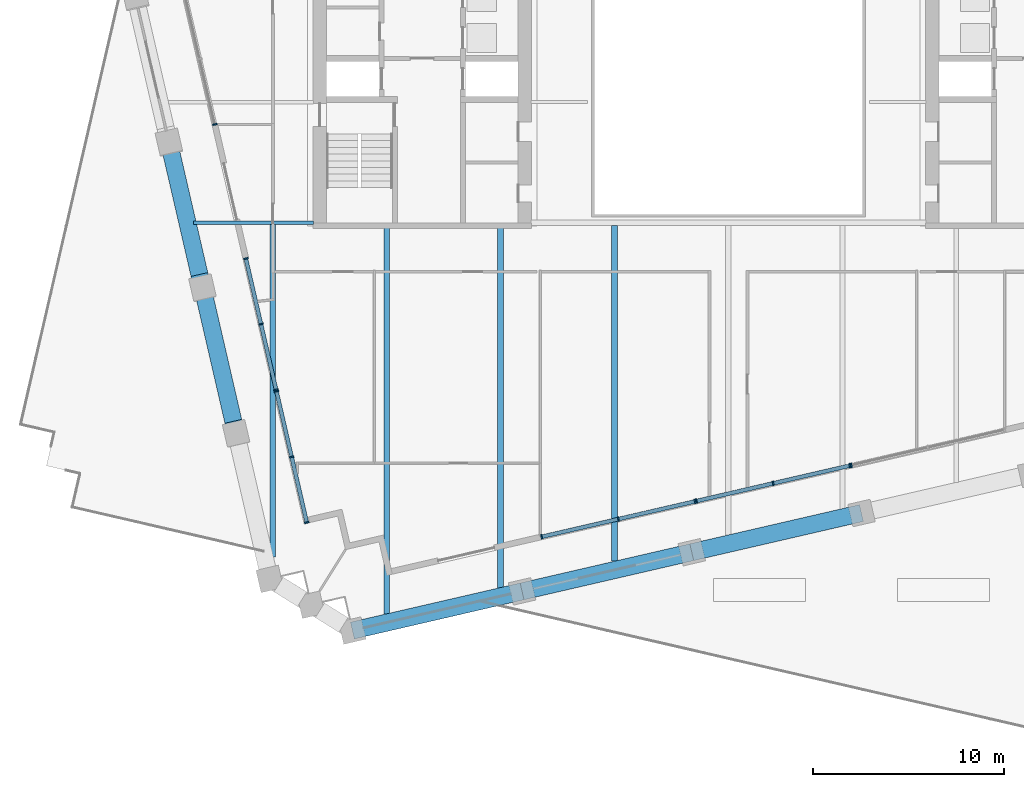
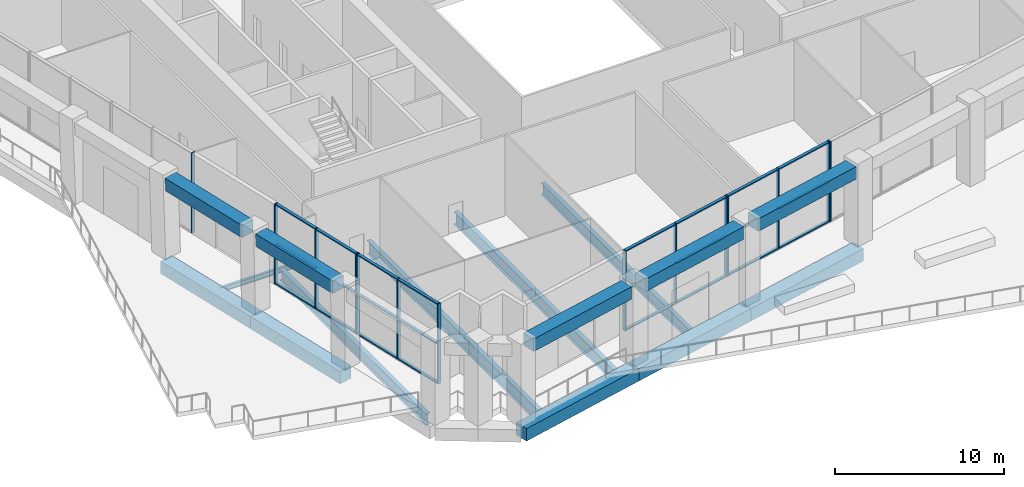
# One storey, part 2 of 24: 38 members, 15 beams, 6 elements without a shape of their own.
"""IFC4 building model written with IfcOpenShell, lengths in metres."""

from ifc_helpers import new_model, si_unit, direction, frame, origin, origin_2d, place, context, subcontext, project, spatial, rectangle, i_section, extrude, material, material_profile, profile_set, type_object, element, aggregate, save


model = new_model("IFC4")

# Units and contexts
model_context = context("Model", 3, precision=1e-05, world=origin(), true_north=direction((0.0, 1.0)))
body_context = subcontext(model_context, "Body", "Model", "MODEL_VIEW")
ifc_project = project(units=[si_unit("LENGTHUNIT", "METRE"), si_unit("AREAUNIT", "SQUARE_METRE"), si_unit("VOLUMEUNIT", "CUBIC_METRE"), si_unit("PLANEANGLEUNIT", "RADIAN"), si_unit("MASSUNIT", "GRAM", prefix="KILO")], contexts=[model_context])

# Site, building, storey
site_placement = place(None, origin())
site = spatial("IfcSite", under=ifc_project, at=site_placement, CompositionType="ELEMENT")
building_placement = place(site_placement, origin())
building = spatial("IfcBuilding", under=site, at=building_placement, Name="Ogive Exchange Tower", CompositionType="ELEMENT")
storey_placement = place(building_placement, frame((0.0, 0.0, 165.60009765625)))
storey = spatial("IfcBuildingStorey", under=building, at=storey_placement, Name="L36", CompositionType="ELEMENT", Elevation=165.60009765625)

# Beams
ifc_material_1 = material(Name="Steel ASTM A992 Gr50", Category="steel")
ifc_material_profile_1 = material_profile(ifc_material_1, i_section(OverallWidth=0.300048828125, OverallDepth=0.969970703125, WebThickness=0.01611328125, FlangeThickness=0.02099609375, at=origin_2d()), Name="W1000x222")
ifc_profile_set_1 = profile_set([ifc_material_profile_1], Name="Steel ASTM A992 Gr50")
beam_type_1 = type_object("IfcBeamType", Name="Floor beam W1000x222", PredefinedType="JOIST", material=ifc_profile_set_1)
beam_1_placement = place(storey_placement, frame((-17.854736328125, -22.873046875, -0.93505859375), z_axis=(0.0, 1.0, 0.0), x_axis=(-1.0, 0.0, 0.0)))
element("IfcBeam", 1, at=beam_1_placement, inside=storey, type_object=beam_type_1, Name="Floor beam", PredefinedType="JOIST", context=body_context, shape_type="SweptSolid", body=[
    extrude(i_section(OverallWidth=0.300048828125, OverallDepth=0.969970703125, WebThickness=0.01611328125, FlangeThickness=0.02099609375, at=origin_2d()), origin(), (0.0, 0.0, 1.0), 20.27294921875),
])
ifc_material_profile_2 = material_profile(ifc_material_1, i_section(OverallWidth=0.2919921875, OverallDepth=0.8359375, WebThickness=0.013916015625, FlangeThickness=0.018798828125, at=origin_2d()), Name="W840x176")
ifc_profile_set_2 = profile_set([ifc_material_profile_2], Name="Steel ASTM A992 Gr50")
beam_type_2 = type_object("IfcBeamType", Name="Floor beam W840x176", PredefinedType="JOIST", material=ifc_profile_set_2)
beam_2_placement = place(storey_placement, frame((-23.806396484375, -19.896484375, -0.8681640625), z_axis=(0.0, 1.0, 0.0), x_axis=(-1.0, 0.0, 0.0)))
element("IfcBeam", 2, at=beam_2_placement, inside=storey, type_object=beam_type_2, Name="Floor beam", PredefinedType="JOIST", context=body_context, shape_type="SweptSolid", body=[
    extrude(i_section(OverallWidth=0.2919921875, OverallDepth=0.8359375, WebThickness=0.013916015625, FlangeThickness=0.018798828125, at=origin_2d()), origin(), (0.0, 0.0, 1.0), 17.365966796875),
])
beam_3_placement = place(storey_placement, frame((-5.95166015625, -20.125, -0.8681640625), z_axis=(0.0, 1.0, 0.0), x_axis=(-1.0, 0.0, 0.0)))
element("IfcBeam", 3, at=beam_3_placement, inside=storey, type_object=beam_type_2, Name="Floor beam", PredefinedType="JOIST", context=body_context, shape_type="SweptSolid", body=[
    extrude(i_section(OverallWidth=0.2919921875, OverallDepth=0.8359375, WebThickness=0.013916015625, FlangeThickness=0.018798828125, at=origin_2d()), origin(), (0.0, 0.0, 1.0), 17.530029296875),
])
ifc_material_profile_3 = material_profile(ifc_material_1, i_section(OverallWidth=0.304931640625, OverallDepth=0.9189453125, WebThickness=0.017333984375, FlangeThickness=0.02783203125, at=origin_2d()), Name="W920x253")
ifc_profile_set_3 = profile_set([ifc_material_profile_3], Name="Steel ASTM A992 Gr50")
beam_type_3 = type_object("IfcBeamType", Name="Floor beam W920x253", PredefinedType="JOIST", material=ifc_profile_set_3)
beam_4_placement = place(storey_placement, frame((-11.9033203125, -21.64892578125, -0.90966796875), z_axis=(0.0, 1.0, 0.0), x_axis=(-1.0, 0.0, 0.0)))
element("IfcBeam", 4, at=beam_4_placement, inside=storey, type_object=beam_type_3, Name="Floor beam", PredefinedType="JOIST", context=body_context, shape_type="SweptSolid", body=[
    extrude(i_section(OverallWidth=0.304931640625, OverallDepth=0.9189453125, WebThickness=0.017333984375, FlangeThickness=0.02783203125, at=origin_2d()), origin(), (0.0, 0.0, 1.0), 19.048828125),
])
ifc_material_profile_4 = material_profile(ifc_material_1, i_section(OverallWidth=0.1708984375, OverallDepth=0.35595703125, WebThickness=0.00732421875, FlangeThickness=0.01171875, at=origin_2d()), Name="W360x51")
ifc_profile_set_4 = profile_set([ifc_material_profile_4], Name="Steel ASTM A992 Gr50")
beam_type_4 = type_object("IfcBeamType", Name="Girder W360x51", PredefinedType="BEAM", material=ifc_profile_set_4)
beam_5_placement = place(storey_placement, frame((-27.95068359375, -2.445068359375, -0.628173828125), z_axis=(1.0, 0.0, 0.0), x_axis=(0.0, 1.0, 0.0)))
element("IfcBeam", 5, at=beam_5_placement, inside=storey, type_object=beam_type_4, Name="Header girder", PredefinedType="BEAM", context=body_context, shape_type="SweptSolid", body=[
    extrude(i_section(OverallWidth=0.1708984375, OverallDepth=0.35595703125, WebThickness=0.00732421875, FlangeThickness=0.01171875, at=origin_2d()), origin(), (0.0, 0.0, 1.0), 6.270751953125),
])
ifc_material_2 = material(Name="Precast concrete C70/85 (limestone faced)", Category="masonry")
ifc_material_profile_5 = material_profile(ifc_material_2, rectangle(XDim=0.89990234375, YDim=0.89990234375, at=origin_2d()), Name="900 x 900")
ifc_profile_set_5 = profile_set([ifc_material_profile_5], Name="Precast concrete C70/85 (limestone faced)")
beam_type_5 = type_object("IfcBeamType", Name="Precast spandrel 900 x 900 C70/85", PredefinedType="SPANDREL", material=ifc_profile_set_5)
beam_6_placement = place(storey_placement, frame((-19.084228515625, -23.61865234375, 5.2998046875), z_axis=(0.974369944206, 0.224951576629, 0.0), x_axis=(-0.224951576629, 0.974369944206, 0.0)))
element("IfcBeam", 6, at=beam_6_placement, inside=storey, type_object=beam_type_5, Name="Spandrel 1", PredefinedType="SPANDREL", context=body_context, shape_type="SweptSolid", body=[
    extrude(rectangle(XDim=0.89990234375, YDim=0.89990234375, at=origin_2d()), origin(), (0.0, 0.0, 1.0), 7.940185546875),
])
beam_7_placement = place(storey_placement, frame((-10.21728515625, -21.57177734375, 5.2998046875), z_axis=(0.974368388194, 0.224958316335, 0.0), x_axis=(-0.224958316335, 0.974368388194, 0.0)))
element("IfcBeam", 7, at=beam_7_placement, inside=storey, type_object=beam_type_5, Name="Spandrel 2", PredefinedType="SPANDREL", context=body_context, shape_type="SweptSolid", body=[
    extrude(rectangle(XDim=0.89990234375, YDim=0.89990234375, at=origin_2d()), origin(), (0.0, 0.0, 1.0), 7.93994140625),
])
beam_8_placement = place(storey_placement, frame((-1.3505859375, -19.524658203125, 5.2998046875), z_axis=(0.974369944206, 0.224951576629, 0.0), x_axis=(-0.224951576629, 0.974369944206, 0.0)))
element("IfcBeam", 8, at=beam_8_placement, inside=storey, type_object=beam_type_5, Name="Spandrel 3", PredefinedType="SPANDREL", context=body_context, shape_type="SweptSolid", body=[
    extrude(rectangle(XDim=0.89990234375, YDim=0.89990234375, at=origin_2d()), origin(), (0.0, 0.0, 1.0), 7.940185546875),
])
beam_9_placement = place(storey_placement, frame((-29.14892578125, 1.394287109375, 5.2998046875), z_axis=(0.224976393981, -0.974364214322, 0.0), x_axis=(0.974364214322, 0.224976393981, 0.0)))
element("IfcBeam", 9, at=beam_9_placement, inside=storey, type_object=beam_type_5, Name="Spandrel 30", PredefinedType="SPANDREL", context=body_context, shape_type="SweptSolid", body=[
    extrude(rectangle(XDim=0.89990234375, YDim=0.89990234375, at=origin_2d()), origin(), (0.0, 0.0, 1.0), 6.7119140625),
])
beam_10_placement = place(storey_placement, frame((-27.3779296875, -6.27587890625, 5.2998046875), z_axis=(0.224933887862, -0.974374027821, 0.0), x_axis=(0.974374027821, 0.224933887862, 0.0)))
element("IfcBeam", 10, at=beam_10_placement, inside=storey, type_object=beam_type_5, Name="Spandrel 31", PredefinedType="SPANDREL", context=body_context, shape_type="SweptSolid", body=[
    extrude(rectangle(XDim=0.89990234375, YDim=0.89990234375, at=origin_2d()), origin(), (0.0, 0.0, 1.0), 6.712158203125),
])
ifc_material_profile_6 = material_profile(ifc_material_2, rectangle(XDim=0.89990234375, YDim=0.89990234375, at=origin_2d()), Name="900 x 900")
ifc_profile_set_6 = profile_set([ifc_material_profile_6], Name="Precast concrete C70/85 (limestone faced)")
beam_type_6 = type_object("IfcBeamType", Name="Precast transfer girder 900 x 900 C70/85", PredefinedType="BEAM", material=ifc_profile_set_6)
beam_11_placement = place(storey_placement, frame((-19.6494140625, -23.749267578125, -0.900146484375), z_axis=(0.97436948753, 0.224953554694, 0.0), x_axis=(-0.224953554694, 0.97436948753, 0.0)))
element("IfcBeam", 11, at=beam_11_placement, inside=storey, type_object=beam_type_6, Name="Transfer girder 1", PredefinedType="BEAM", context=body_context, shape_type="SweptSolid", body=[
    extrude(rectangle(XDim=0.89990234375, YDim=0.89990234375, at=origin_2d()), origin(), (0.0, 0.0, 1.0), 9.10009765625),
])
for number, where, z_axis, x_axis, name in (
    (12, (-10.782470703125, -21.7021484375, -0.900146484375), (0.974368129866, 0.224959435237, 0.0), (-0.224959435237, 0.974368129866, 0.0), "Transfer girder 2"),
    (13, (-1.915771484375, -19.655029296875, -0.900146484375), (0.974368129866, 0.224959435237, 0.0), (-0.224959435237, 0.974368129866, 0.0), "Transfer girder 3"),
):
    element("IfcBeam", number, at=place(storey_placement, frame(where, z_axis=z_axis, x_axis=x_axis)), inside=storey, type_object=beam_type_6, Name=name, PredefinedType="BEAM", context=body_context, shape_type="SweptSolid", body=[
        extrude(rectangle(XDim=0.89990234375, YDim=0.89990234375, at=origin_2d()), origin(), (0.0, 0.0, 1.0), 9.099853515625),
    ])
for number, where, z_axis, x_axis, name in (
    (14, (-29.230712890625, 1.7490234375, -0.900146484375), (0.22495322987, -0.974369562523, 0.0), (0.974369562523, 0.22495322987, 0.0), "Transfer girder 30"),
    (15, (-27.47607421875, -5.85107421875, -0.900146484375), (0.22495322987, -0.974369562523, 0.0), (0.974369562523, 0.22495322987, 0.0), "Transfer girder 31"),
):
    element("IfcBeam", number, at=place(storey_placement, frame(where, z_axis=z_axis, x_axis=x_axis)), inside=storey, type_object=beam_type_6, Name=name, PredefinedType="BEAM", context=body_context, shape_type="SweptSolid", body=[
        extrude(rectangle(XDim=0.89990234375, YDim=0.89990234375, at=origin_2d()), origin(), (0.0, 0.0, 1.0), 7.800048828125),
    ])

# Curtain wall, members
ifc_material_3 = material(Name="Anodised aluminium and clear glass", Category="aluminium")
curtain_wall_type = type_object("IfcCurtainWallType", Name="Winter garden glazing", PredefinedType="NOTDEFINED", material=ifc_material_3)
curtain_wall_1_placement = place(storey_placement, origin())
curtain_wall_1 = element("IfcCurtainWall", 16, at=curtain_wall_1_placement, inside=storey, type_object=curtain_wall_type, Name="Winter garden glazing run G2", PredefinedType="NOTDEFINED")
ifc_material_4 = material(Name="Anodised aluminium", Category="aluminium")
ifc_material_profile_7 = material_profile(ifc_material_4, rectangle(XDim=0.239990234375, YDim=0.080078125, at=origin_2d()), Name="AL 80x240")
ifc_profile_set_7 = profile_set([ifc_material_profile_7], Name="Anodised aluminium")
member_type_1 = type_object("IfcMemberType", Name="Winter garden glazing mullion 80 x 240", PredefinedType="MULLION", material=ifc_profile_set_7)
member_1_placement = place(storey_placement, frame((-9.75830078125, -18.8486328125, 0.0), z_axis=(0.0, 0.0, 1.0), x_axis=(-0.224951017509, 0.974370073289, 0.0)))
member_1 = element("IfcMember", 17, at=member_1_placement, type_object=member_type_1, Name="G2 mullion 1", PredefinedType="MULLION", context=body_context, shape_type="SweptSolid", body=[
    extrude(rectangle(XDim=0.239990234375, YDim=0.080078125, at=origin_2d()), origin(), (0.0, 0.0, 1.0), 5.7998046875),
])
member_2_placement = place(storey_placement, frame((-5.753662109375, -17.924072265625, 0.0), z_axis=(0.0, 0.0, 1.0), x_axis=(-0.224951017509, 0.974370073289, 0.0)))
member_2 = element("IfcMember", 18, at=member_2_placement, type_object=member_type_1, Name="G2 mullion 2", PredefinedType="MULLION", context=body_context, shape_type="SweptSolid", body=[
    extrude(rectangle(XDim=0.239990234375, YDim=0.080078125, at=origin_2d()), origin(), (0.0, 0.0, 1.0), 5.7998046875),
])
member_3_placement = place(storey_placement, frame((-1.748779296875, -16.99951171875, 0.0), z_axis=(0.0, 0.0, 1.0), x_axis=(-0.224951017509, 0.974370073289, 0.0)))
member_3 = element("IfcMember", 19, at=member_3_placement, type_object=member_type_1, Name="G2 mullion 3", PredefinedType="MULLION", context=body_context, shape_type="SweptSolid", body=[
    extrude(rectangle(XDim=0.239990234375, YDim=0.080078125, at=origin_2d()), origin(), (0.0, 0.0, 1.0), 5.7998046875),
])

curtain_wall_2_placement = place(storey_placement, origin())
curtain_wall_2 = element("IfcCurtainWall", 20, at=curtain_wall_2_placement, inside=storey, type_object=curtain_wall_type, Name="Winter garden glazing run G3", PredefinedType="NOTDEFINED")
member_4_placement = place(storey_placement, frame((-1.6708984375, -16.9814453125, 0.0), z_axis=(0.0, 0.0, 1.0), x_axis=(-0.224951017509, 0.974370073289, 0.0)))
member_4 = element("IfcMember", 21, at=member_4_placement, type_object=member_type_1, Name="G3 mullion 1", PredefinedType="MULLION", context=body_context, shape_type="SweptSolid", body=[
    extrude(rectangle(XDim=0.239990234375, YDim=0.080078125, at=origin_2d()), origin(), (0.0, 0.0, 1.0), 5.7998046875),
])
member_5_placement = place(storey_placement, frame((2.333740234375, -16.056884765625, 0.0), z_axis=(0.0, 0.0, 1.0), x_axis=(-0.224951017509, 0.974370073289, 0.0)))
member_5 = element("IfcMember", 22, at=member_5_placement, type_object=member_type_1, Name="G3 mullion 2", PredefinedType="MULLION", context=body_context, shape_type="SweptSolid", body=[
    extrude(rectangle(XDim=0.239990234375, YDim=0.080078125, at=origin_2d()), origin(), (0.0, 0.0, 1.0), 5.7998046875),
])
member_6_placement = place(storey_placement, frame((6.33837890625, -15.13232421875, 0.0), z_axis=(0.0, 0.0, 1.0), x_axis=(-0.224951017509, 0.974370073289, 0.0)))
member_6 = element("IfcMember", 23, at=member_6_placement, type_object=member_type_1, Name="G3 mullion 3", PredefinedType="MULLION", context=body_context, shape_type="SweptSolid", body=[
    extrude(rectangle(XDim=0.239990234375, YDim=0.080078125, at=origin_2d()), origin(), (0.0, 0.0, 1.0), 5.7998046875),
])

# Curtain wall, member
curtain_wall_3_placement = place(storey_placement, origin())
curtain_wall_3 = element("IfcCurtainWall", 24, at=curtain_wall_3_placement, inside=storey, type_object=curtain_wall_type, Name="Winter garden glazing run G4", PredefinedType="NOTDEFINED")
member_7_placement = place(storey_placement, frame((6.416259765625, -15.114501953125, 0.0), z_axis=(0.0, 0.0, 1.0), x_axis=(-0.224953658314, 0.974369463608, 0.0)))
member_7 = element("IfcMember", 25, at=member_7_placement, type_object=member_type_1, Name="G4 mullion 1", PredefinedType="MULLION", context=body_context, shape_type="SweptSolid", body=[
    extrude(rectangle(XDim=0.239990234375, YDim=0.080078125, at=origin_2d()), origin(), (0.0, 0.0, 1.0), 5.7998046875),
])
aggregate(curtain_wall_3, [member_7])

curtain_wall_4_placement = place(storey_placement, origin())
curtain_wall_4 = element("IfcCurtainWall", 26, at=curtain_wall_4_placement, inside=storey, type_object=curtain_wall_type, Name="Winter garden glazing run G23", PredefinedType="NOTDEFINED")
member_8_placement = place(storey_placement, frame((-26.832275390625, 2.695556640625, 0.0), z_axis=(0.0, 0.0, 1.0), x_axis=(0.974368684938, 0.224957031035, 0.0)))
member_8 = element("IfcMember", 27, at=member_8_placement, type_object=member_type_1, Name="G23 mullion 3", PredefinedType="MULLION", context=body_context, shape_type="SweptSolid", body=[
    extrude(rectangle(XDim=0.239990234375, YDim=0.080078125, at=origin_2d()), origin(), (0.0, 0.0, 1.0), 5.7998046875),
])
aggregate(curtain_wall_4, [member_8])

# Curtain wall, members
curtain_wall_5_placement = place(storey_placement, origin())
curtain_wall_5 = element("IfcCurtainWall", 28, at=curtain_wall_5_placement, inside=storey, type_object=curtain_wall_type, Name="Winter garden glazing run G25", PredefinedType="NOTDEFINED")
member_9_placement = place(storey_placement, frame((-25.2138671875, -4.314208984375, 0.0), z_axis=(0.0, 0.0, 1.0), x_axis=(0.974371765874, 0.224943685993, 0.0)))
member_9 = element("IfcMember", 29, at=member_9_placement, type_object=member_type_1, Name="G25 mullion 1", PredefinedType="MULLION", context=body_context, shape_type="SweptSolid", body=[
    extrude(rectangle(XDim=0.239990234375, YDim=0.080078125, at=origin_2d()), origin(), (0.0, 0.0, 1.0), 5.7998046875),
])
member_10_placement = place(storey_placement, frame((-24.422607421875, -7.7412109375, 0.0), z_axis=(0.0, 0.0, 1.0), x_axis=(0.974371765874, 0.224943685993, 0.0)))
member_10 = element("IfcMember", 30, at=member_10_placement, type_object=member_type_1, Name="G25 mullion 2", PredefinedType="MULLION", context=body_context, shape_type="SweptSolid", body=[
    extrude(rectangle(XDim=0.239990234375, YDim=0.080078125, at=origin_2d()), origin(), (0.0, 0.0, 1.0), 5.7998046875),
])
member_11_placement = place(storey_placement, frame((-23.631591796875, -11.168212890625, 0.0), z_axis=(0.0, 0.0, 1.0), x_axis=(0.974371765874, 0.224943685993, 0.0)))
member_11 = element("IfcMember", 31, at=member_11_placement, type_object=member_type_1, Name="G25 mullion 3", PredefinedType="MULLION", context=body_context, shape_type="SweptSolid", body=[
    extrude(rectangle(XDim=0.239990234375, YDim=0.080078125, at=origin_2d()), origin(), (0.0, 0.0, 1.0), 5.7998046875),
])

curtain_wall_6_placement = place(storey_placement, origin())
curtain_wall_6 = element("IfcCurtainWall", 32, at=curtain_wall_6_placement, inside=storey, type_object=curtain_wall_type, Name="Winter garden glazing run G26", PredefinedType="NOTDEFINED")
member_12_placement = place(storey_placement, frame((-23.613525390625, -11.24609375, 0.0), z_axis=(0.0, 0.0, 1.0), x_axis=(0.974369396254, 0.224953950051, 0.0)))
member_12 = element("IfcMember", 33, at=member_12_placement, type_object=member_type_1, Name="G26 mullion 1", PredefinedType="MULLION", context=body_context, shape_type="SweptSolid", body=[
    extrude(rectangle(XDim=0.239990234375, YDim=0.080078125, at=origin_2d()), origin(), (0.0, 0.0, 1.0), 5.7998046875),
])
member_13_placement = place(storey_placement, frame((-22.822265625, -14.673095703125, 0.0), z_axis=(0.0, 0.0, 1.0), x_axis=(0.974369396254, 0.224953950051, 0.0)))
member_13 = element("IfcMember", 34, at=member_13_placement, type_object=member_type_1, Name="G26 mullion 2", PredefinedType="MULLION", context=body_context, shape_type="SweptSolid", body=[
    extrude(rectangle(XDim=0.239990234375, YDim=0.080078125, at=origin_2d()), origin(), (0.0, 0.0, 1.0), 5.7998046875),
])
member_14_placement = place(storey_placement, frame((-22.031005859375, -18.100341796875, 0.0), z_axis=(0.0, 0.0, 1.0), x_axis=(0.974369396254, 0.224953950051, 0.0)))
member_14 = element("IfcMember", 35, at=member_14_placement, type_object=member_type_1, Name="G26 mullion 3", PredefinedType="MULLION", context=body_context, shape_type="SweptSolid", body=[
    extrude(rectangle(XDim=0.239990234375, YDim=0.080078125, at=origin_2d()), origin(), (0.0, 0.0, 1.0), 5.7998046875),
])

# Member
ifc_material_profile_8 = material_profile(ifc_material_4, rectangle(XDim=0.199951171875, YDim=0.080078125, at=origin_2d()), Name="AL 80x200")
ifc_profile_set_8 = profile_set([ifc_material_profile_8], Name="Anodised aluminium")
member_type_2 = type_object("IfcMemberType", Name="Winter garden glazing transom 80 x 200", PredefinedType="USERDEFINED", material=ifc_profile_set_8)
member_15_placement = place(storey_placement, frame((-9.71923828125, -18.839599609375, 0.039794921875), z_axis=(0.97437383551, 0.224934720918, 0.0), x_axis=(-0.224934720918, 0.97437383551, 0.0)))
member_15 = element("IfcMember", 36, at=member_15_placement, type_object=member_type_2, Name="G2 transom 1.1", ObjectType="TRANSOM", PredefinedType="USERDEFINED", context=body_context, shape_type="SweptSolid", body=[
    extrude(rectangle(XDim=0.199951171875, YDim=0.080078125, at=origin_2d()), origin(), (0.0, 0.0, 1.0), 4.030029296875),
])

member_16_placement = place(storey_placement, frame((-9.71923828125, -18.839599609375, 2.89990234375), z_axis=(0.97437383551, 0.224934720918, 0.0), x_axis=(-0.224934720918, 0.97437383551, 0.0)))
member_16 = element("IfcMember", 37, at=member_16_placement, type_object=member_type_2, Name="G2 transom 1.2", ObjectType="TRANSOM", PredefinedType="USERDEFINED", context=body_context, shape_type="SweptSolid", body=[
    extrude(rectangle(XDim=0.199951171875, YDim=0.080078125, at=origin_2d()), origin(), (0.0, 0.0, 1.0), 4.030029296875),
])

member_17_placement = place(storey_placement, frame((-9.71923828125, -18.839599609375, 5.760009765625), z_axis=(0.97437383551, 0.224934720918, 0.0), x_axis=(-0.224934720918, 0.97437383551, 0.0)))
member_17 = element("IfcMember", 38, at=member_17_placement, type_object=member_type_2, Name="G2 transom 1.3", ObjectType="TRANSOM", PredefinedType="USERDEFINED", context=body_context, shape_type="SweptSolid", body=[
    extrude(rectangle(XDim=0.199951171875, YDim=0.080078125, at=origin_2d()), origin(), (0.0, 0.0, 1.0), 4.030029296875),
])

member_18_placement = place(storey_placement, frame((-5.714599609375, -17.9150390625, 0.039794921875), z_axis=(0.97437383551, 0.224934720918, 0.0), x_axis=(-0.224934720918, 0.97437383551, 0.0)))
member_18 = element("IfcMember", 39, at=member_18_placement, type_object=member_type_2, Name="G2 transom 2.1", ObjectType="TRANSOM", PredefinedType="USERDEFINED", context=body_context, shape_type="SweptSolid", body=[
    extrude(rectangle(XDim=0.199951171875, YDim=0.080078125, at=origin_2d()), origin(), (0.0, 0.0, 1.0), 4.030029296875),
])

member_19_placement = place(storey_placement, frame((-5.714599609375, -17.9150390625, 2.89990234375), z_axis=(0.97437383551, 0.224934720918, 0.0), x_axis=(-0.224934720918, 0.97437383551, 0.0)))
member_19 = element("IfcMember", 40, at=member_19_placement, type_object=member_type_2, Name="G2 transom 2.2", ObjectType="TRANSOM", PredefinedType="USERDEFINED", context=body_context, shape_type="SweptSolid", body=[
    extrude(rectangle(XDim=0.199951171875, YDim=0.080078125, at=origin_2d()), origin(), (0.0, 0.0, 1.0), 4.030029296875),
])

member_20_placement = place(storey_placement, frame((-5.714599609375, -17.9150390625, 5.760009765625), z_axis=(0.97437383551, 0.224934720918, 0.0), x_axis=(-0.224934720918, 0.97437383551, 0.0)))
member_20 = element("IfcMember", 41, at=member_20_placement, type_object=member_type_2, Name="G2 transom 2.3", ObjectType="TRANSOM", PredefinedType="USERDEFINED", context=body_context, shape_type="SweptSolid", body=[
    extrude(rectangle(XDim=0.199951171875, YDim=0.080078125, at=origin_2d()), origin(), (0.0, 0.0, 1.0), 4.030029296875),
])

aggregate(curtain_wall_1, [member_1, member_2, member_3, member_15, member_16, member_17, member_18, member_19, member_20])

member_21_placement = place(storey_placement, frame((-1.6318359375, -16.972412109375, 0.039794921875), z_axis=(0.974370770139, 0.2249479991, 0.0), x_axis=(-0.2249479991, 0.974370770139, 0.0)))
member_21 = element("IfcMember", 42, at=member_21_placement, type_object=member_type_2, Name="G3 transom 1.1", ObjectType="TRANSOM", PredefinedType="USERDEFINED", context=body_context, shape_type="SweptSolid", body=[
    extrude(rectangle(XDim=0.199951171875, YDim=0.080078125, at=origin_2d()), origin(), (0.0, 0.0, 1.0), 4.02978515625),
])

member_22_placement = place(storey_placement, frame((-1.6318359375, -16.972412109375, 2.89990234375), z_axis=(0.974370770139, 0.2249479991, 0.0), x_axis=(-0.2249479991, 0.974370770139, 0.0)))
member_22 = element("IfcMember", 43, at=member_22_placement, type_object=member_type_2, Name="G3 transom 1.2", ObjectType="TRANSOM", PredefinedType="USERDEFINED", context=body_context, shape_type="SweptSolid", body=[
    extrude(rectangle(XDim=0.199951171875, YDim=0.080078125, at=origin_2d()), origin(), (0.0, 0.0, 1.0), 4.02978515625),
])

member_23_placement = place(storey_placement, frame((-1.6318359375, -16.972412109375, 5.760009765625), z_axis=(0.974370770139, 0.2249479991, 0.0), x_axis=(-0.2249479991, 0.974370770139, 0.0)))
member_23 = element("IfcMember", 44, at=member_23_placement, type_object=member_type_2, Name="G3 transom 1.3", ObjectType="TRANSOM", PredefinedType="USERDEFINED", context=body_context, shape_type="SweptSolid", body=[
    extrude(rectangle(XDim=0.199951171875, YDim=0.080078125, at=origin_2d()), origin(), (0.0, 0.0, 1.0), 4.02978515625),
])

member_24_placement = place(storey_placement, frame((2.372802734375, -16.0478515625, 0.039794921875), z_axis=(0.97437383551, 0.224934720918, 0.0), x_axis=(-0.224934720918, 0.97437383551, 0.0)))
member_24 = element("IfcMember", 45, at=member_24_placement, type_object=member_type_2, Name="G3 transom 2.1", ObjectType="TRANSOM", PredefinedType="USERDEFINED", context=body_context, shape_type="SweptSolid", body=[
    extrude(rectangle(XDim=0.199951171875, YDim=0.080078125, at=origin_2d()), origin(), (0.0, 0.0, 1.0), 4.030029296875),
])

member_25_placement = place(storey_placement, frame((2.372802734375, -16.0478515625, 2.89990234375), z_axis=(0.97437383551, 0.224934720918, 0.0), x_axis=(-0.224934720918, 0.97437383551, 0.0)))
member_25 = element("IfcMember", 46, at=member_25_placement, type_object=member_type_2, Name="G3 transom 2.2", ObjectType="TRANSOM", PredefinedType="USERDEFINED", context=body_context, shape_type="SweptSolid", body=[
    extrude(rectangle(XDim=0.199951171875, YDim=0.080078125, at=origin_2d()), origin(), (0.0, 0.0, 1.0), 4.030029296875),
])

member_26_placement = place(storey_placement, frame((2.372802734375, -16.0478515625, 5.760009765625), z_axis=(0.97437383551, 0.224934720918, 0.0), x_axis=(-0.224934720918, 0.97437383551, 0.0)))
member_26 = element("IfcMember", 47, at=member_26_placement, type_object=member_type_2, Name="G3 transom 2.3", ObjectType="TRANSOM", PredefinedType="USERDEFINED", context=body_context, shape_type="SweptSolid", body=[
    extrude(rectangle(XDim=0.199951171875, YDim=0.080078125, at=origin_2d()), origin(), (0.0, 0.0, 1.0), 4.030029296875),
])

aggregate(curtain_wall_2, [member_4, member_5, member_6, member_21, member_22, member_23, member_24, member_25, member_26])

member_27_placement = place(storey_placement, frame((-25.204833984375, -4.353271484375, 0.039794921875), z_axis=(0.224947693018, -0.974370840802, 0.0), x_axis=(0.974370840802, 0.224947693018, 0.0)))
member_27 = element("IfcMember", 48, at=member_27_placement, type_object=member_type_2, Name="G25 transom 1.1", ObjectType="TRANSOM", PredefinedType="USERDEFINED", context=body_context, shape_type="SweptSolid", body=[
    extrude(rectangle(XDim=0.199951171875, YDim=0.080078125, at=origin_2d()), origin(), (0.0, 0.0, 1.0), 3.437255859375),
])

member_28_placement = place(storey_placement, frame((-25.204833984375, -4.353271484375, 2.89990234375), z_axis=(0.224947693018, -0.974370840802, 0.0), x_axis=(0.974370840802, 0.224947693018, 0.0)))
member_28 = element("IfcMember", 49, at=member_28_placement, type_object=member_type_2, Name="G25 transom 1.2", ObjectType="TRANSOM", PredefinedType="USERDEFINED", context=body_context, shape_type="SweptSolid", body=[
    extrude(rectangle(XDim=0.199951171875, YDim=0.080078125, at=origin_2d()), origin(), (0.0, 0.0, 1.0), 3.437255859375),
])

member_29_placement = place(storey_placement, frame((-25.204833984375, -4.353271484375, 5.760009765625), z_axis=(0.224947693018, -0.974370840802, 0.0), x_axis=(0.974370840802, 0.224947693018, 0.0)))
member_29 = element("IfcMember", 50, at=member_29_placement, type_object=member_type_2, Name="G25 transom 1.3", ObjectType="TRANSOM", PredefinedType="USERDEFINED", context=body_context, shape_type="SweptSolid", body=[
    extrude(rectangle(XDim=0.199951171875, YDim=0.080078125, at=origin_2d()), origin(), (0.0, 0.0, 1.0), 3.437255859375),
])

member_30_placement = place(storey_placement, frame((-24.41357421875, -7.7802734375, 0.039794921875), z_axis=(0.224963262299, -0.974367246276, 0.0), x_axis=(0.974367246276, 0.224963262299, 0.0)))
member_30 = element("IfcMember", 51, at=member_30_placement, type_object=member_type_2, Name="G25 transom 2.1", ObjectType="TRANSOM", PredefinedType="USERDEFINED", context=body_context, shape_type="SweptSolid", body=[
    extrude(rectangle(XDim=0.199951171875, YDim=0.080078125, at=origin_2d()), origin(), (0.0, 0.0, 1.0), 3.43701171875),
])

member_31_placement = place(storey_placement, frame((-24.41357421875, -7.7802734375, 2.89990234375), z_axis=(0.224963262299, -0.974367246276, 0.0), x_axis=(0.974367246276, 0.224963262299, 0.0)))
member_31 = element("IfcMember", 52, at=member_31_placement, type_object=member_type_2, Name="G25 transom 2.2", ObjectType="TRANSOM", PredefinedType="USERDEFINED", context=body_context, shape_type="SweptSolid", body=[
    extrude(rectangle(XDim=0.199951171875, YDim=0.080078125, at=origin_2d()), origin(), (0.0, 0.0, 1.0), 3.43701171875),
])

member_32_placement = place(storey_placement, frame((-24.41357421875, -7.7802734375, 5.760009765625), z_axis=(0.224963262299, -0.974367246276, 0.0), x_axis=(0.974367246276, 0.224963262299, 0.0)))
member_32 = element("IfcMember", 53, at=member_32_placement, type_object=member_type_2, Name="G25 transom 2.3", ObjectType="TRANSOM", PredefinedType="USERDEFINED", context=body_context, shape_type="SweptSolid", body=[
    extrude(rectangle(XDim=0.199951171875, YDim=0.080078125, at=origin_2d()), origin(), (0.0, 0.0, 1.0), 3.43701171875),
])

aggregate(curtain_wall_5, [member_9, member_10, member_11, member_27, member_28, member_29, member_30, member_31, member_32])

member_33_placement = place(storey_placement, frame((-23.6044921875, -11.28515625, 0.039794921875), z_axis=(0.224947693018, -0.974370840802, 0.0), x_axis=(0.974370840802, 0.224947693018, 0.0)))
member_33 = element("IfcMember", 54, at=member_33_placement, type_object=member_type_2, Name="G26 transom 1.1", ObjectType="TRANSOM", PredefinedType="USERDEFINED", context=body_context, shape_type="SweptSolid", body=[
    extrude(rectangle(XDim=0.199951171875, YDim=0.080078125, at=origin_2d()), origin(), (0.0, 0.0, 1.0), 3.437255859375),
])

member_34_placement = place(storey_placement, frame((-23.6044921875, -11.28515625, 2.89990234375), z_axis=(0.224947693018, -0.974370840802, 0.0), x_axis=(0.974370840802, 0.224947693018, 0.0)))
member_34 = element("IfcMember", 55, at=member_34_placement, type_object=member_type_2, Name="G26 transom 1.2", ObjectType="TRANSOM", PredefinedType="USERDEFINED", context=body_context, shape_type="SweptSolid", body=[
    extrude(rectangle(XDim=0.199951171875, YDim=0.080078125, at=origin_2d()), origin(), (0.0, 0.0, 1.0), 3.437255859375),
])

member_35_placement = place(storey_placement, frame((-23.6044921875, -11.28515625, 5.760009765625), z_axis=(0.224947693018, -0.974370840802, 0.0), x_axis=(0.974370840802, 0.224947693018, 0.0)))
member_35 = element("IfcMember", 56, at=member_35_placement, type_object=member_type_2, Name="G26 transom 1.3", ObjectType="TRANSOM", PredefinedType="USERDEFINED", context=body_context, shape_type="SweptSolid", body=[
    extrude(rectangle(XDim=0.199951171875, YDim=0.080078125, at=origin_2d()), origin(), (0.0, 0.0, 1.0), 3.437255859375),
])

member_36_placement = place(storey_placement, frame((-22.813232421875, -14.712158203125, 0.039794921875), z_axis=(0.224947693018, -0.974370840802, 0.0), x_axis=(0.974370840802, 0.224947693018, 0.0)))
member_36 = element("IfcMember", 57, at=member_36_placement, type_object=member_type_2, Name="G26 transom 2.1", ObjectType="TRANSOM", PredefinedType="USERDEFINED", context=body_context, shape_type="SweptSolid", body=[
    extrude(rectangle(XDim=0.199951171875, YDim=0.080078125, at=origin_2d()), origin(), (0.0, 0.0, 1.0), 3.437255859375),
])

member_37_placement = place(storey_placement, frame((-22.813232421875, -14.712158203125, 2.89990234375), z_axis=(0.224947693018, -0.974370840802, 0.0), x_axis=(0.974370840802, 0.224947693018, 0.0)))
member_37 = element("IfcMember", 58, at=member_37_placement, type_object=member_type_2, Name="G26 transom 2.2", ObjectType="TRANSOM", PredefinedType="USERDEFINED", context=body_context, shape_type="SweptSolid", body=[
    extrude(rectangle(XDim=0.199951171875, YDim=0.080078125, at=origin_2d()), origin(), (0.0, 0.0, 1.0), 3.437255859375),
])

member_38_placement = place(storey_placement, frame((-22.813232421875, -14.712158203125, 5.760009765625), z_axis=(0.224947693018, -0.974370840802, 0.0), x_axis=(0.974370840802, 0.224947693018, 0.0)))
member_38 = element("IfcMember", 59, at=member_38_placement, type_object=member_type_2, Name="G26 transom 2.3", ObjectType="TRANSOM", PredefinedType="USERDEFINED", context=body_context, shape_type="SweptSolid", body=[
    extrude(rectangle(XDim=0.199951171875, YDim=0.080078125, at=origin_2d()), origin(), (0.0, 0.0, 1.0), 3.437255859375),
])

aggregate(curtain_wall_6, [member_12, member_13, member_14, member_33, member_34, member_35, member_36, member_37, member_38])

save(model, "model.ifc")
